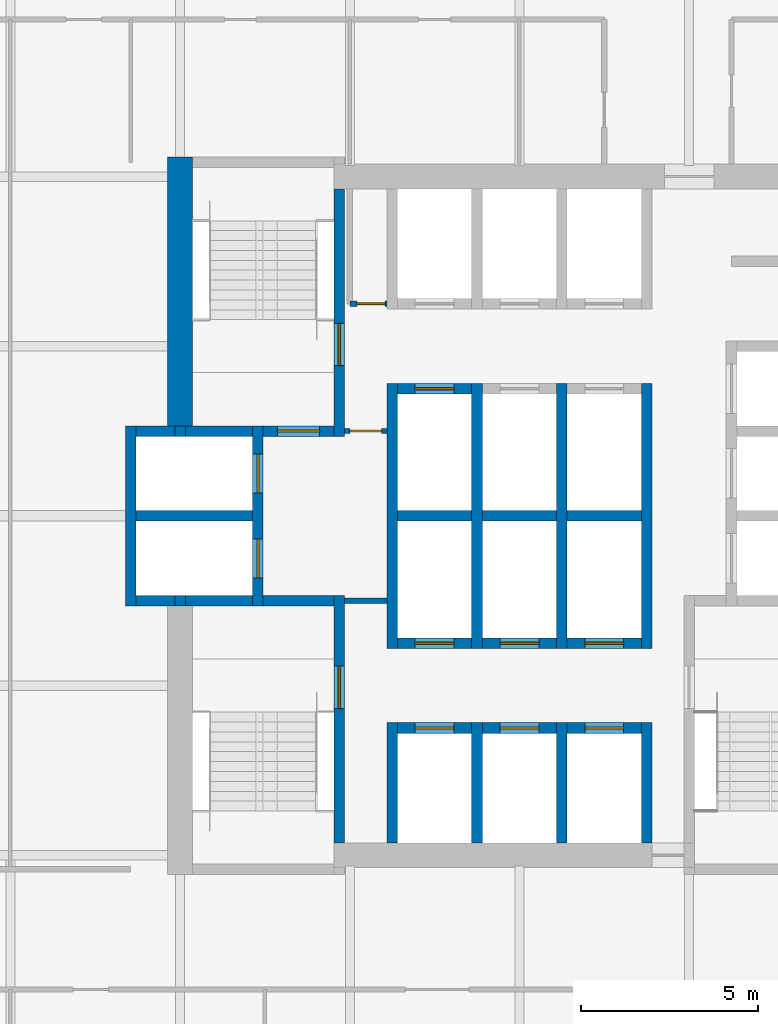
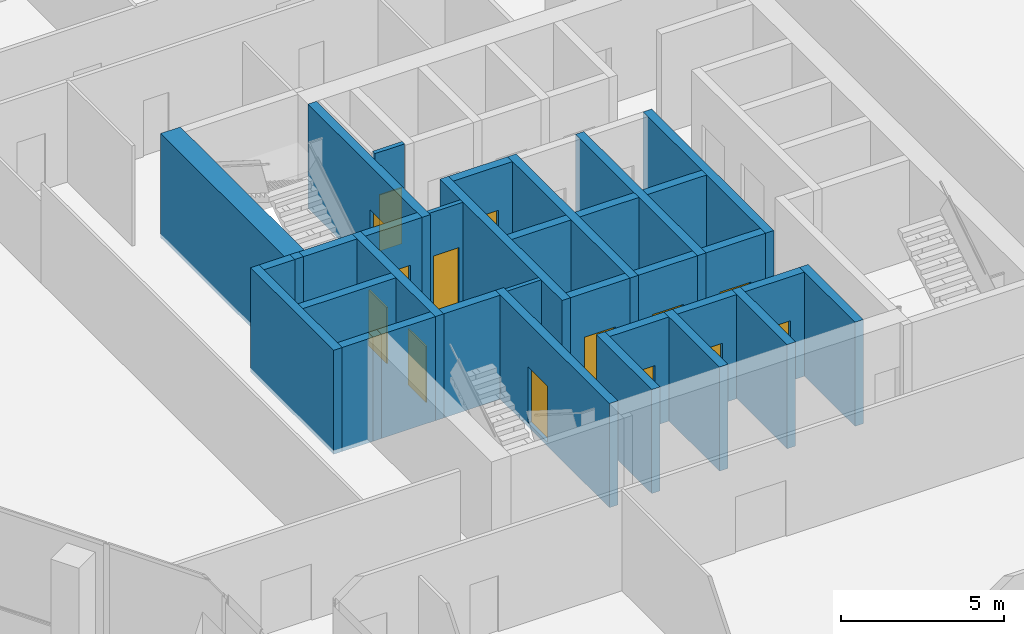
# One storey, part 9 of 15: 35 walls, 14 doors, 14 openings.
"""IFC4 building model written with IfcOpenShell, lengths in metres."""

from ifc_helpers import new_model, si_unit, direction, frame, frame_2d, origin, place, context, subcontext, project, spatial, rectangle, extrude, material, layer, layer_set, type_object, element, fill, save


model = new_model("IFC4")

# Units and contexts
model_context = context("Model", 3, precision=1e-05, world=origin(), true_north=direction((0.0, 1.0)))
body_context = subcontext(model_context, "Body", "Model", "MODEL_VIEW")
ifc_project = project(units=[si_unit("LENGTHUNIT", "METRE"), si_unit("AREAUNIT", "SQUARE_METRE"), si_unit("VOLUMEUNIT", "CUBIC_METRE"), si_unit("PLANEANGLEUNIT", "RADIAN"), si_unit("MASSUNIT", "GRAM", prefix="KILO")], contexts=[model_context])

# Site, building, storey
site_placement = place(None, origin())
site = spatial("IfcSite", under=ifc_project, at=site_placement, CompositionType="ELEMENT")
building_placement = place(site_placement, origin())
building = spatial("IfcBuilding", under=site, at=building_placement, Name="Kolab Exchange Tower", CompositionType="ELEMENT")
storey_placement = place(building_placement, frame((0.0, 0.0, 154.39990234375)))
storey = spatial("IfcBuildingStorey", under=building, at=storey_placement, Name="L31", CompositionType="ELEMENT", Elevation=154.39990234375)

# Wall
ifc_material_1 = material(Name="Concrete C60/75", Category="concrete")
ifc_layer_1 = layer(ifc_material_1, 0.699951171875)
ifc_layer_set_1 = layer_set([ifc_layer_1], Name="Concrete C60/75")
wall_type_1 = type_object("IfcWallType", Name="CORE WALL 700 C60/75", PredefinedType="SHEAR", material=ifc_layer_set_1)
wall_1_placement = place(storey_placement, frame((-9.60009765625, 2.550048828125, -0.14990234375), z_axis=(0.0, 0.0, 1.0), x_axis=(0.0, 1.0, 0.0)))
element("IfcWall", 1, at=wall_1_placement, inside=storey, type_object=wall_type_1, Name="wall/L31/core/037", PredefinedType="SHEAR", context=body_context, shape_type="SweptSolid", body=[
    extrude(rectangle(XDim=7.599853515625, YDim=0.699951171875, at=frame_2d((3.7998046875, 0.0))), origin(), (0.0, 0.0, 1.0), 3.89990234375),
])

# Wall, opening, door
ifc_material_2 = material(Name="Concrete C50/60", Category="concrete")
ifc_layer_2 = layer(ifc_material_2, 0.300048828125)
ifc_layer_set_2 = layer_set([ifc_layer_2], Name="Concrete C50/60")
wall_type_2 = type_object("IfcWallType", Name="LIFT SHAFT WALL 300 C50/60", PredefinedType="STANDARD", material=ifc_layer_set_2)
wall_2_placement = place(storey_placement, frame((-3.449951171875, -6.0, -0.14990234375), z_axis=(0.0, 0.0, 1.0), x_axis=(1.0, 0.0, 0.0)))
wall_2 = element("IfcWall", 2, at=wall_2_placement, inside=storey, type_object=wall_type_2, Name="wall/L31/core/003", PredefinedType="STANDARD", context=body_context, shape_type="SweptSolid", body=[
    extrude(rectangle(XDim=2.099853515625, YDim=0.300048828125, at=frame_2d((1.0498046875, 0.0))), origin(), (0.0, 0.0, 1.0), 3.89990234375),
])
opening_1_placement = place(wall_2_placement, frame((0.5, 0.0, 0.14990234375)))
opening_1 = element("IfcOpeningElement", 3, at=opening_1_placement, cuts=wall_2, Name="Opening LD1-110", PredefinedType="OPENING", context=body_context, shape_type="SweptSolid", body=[
    extrude(rectangle(XDim=1.10009765625, YDim=2.10009765625, at=frame_2d((0.550048828125, 1.050048828125))), frame((0.0, 0.16015625, 0.0), z_axis=(0.0, -1.0, 0.0), x_axis=(1.0, 0.0, 0.0)), (0.0, 0.0, 1.0), 0.320068359375),
])
ifc_material_3 = material(Name="Stainless steel 316", Category="steel")
door_type_1 = type_object("IfcDoorType", Name="LANDING DOOR 1100 PASSENGER", OperationType="DOUBLE_DOOR_SLIDING", PredefinedType="DOOR", material=ifc_material_3)
door_1_placement = place(opening_1_placement, origin())
door_1 = element("IfcDoor", 4, at=door_1_placement, inside=storey, type_object=door_type_1, Name="Landing door HR10", OperationType="DOUBLE_DOOR_SLIDING", OverallHeight=2.10009765625, OverallWidth=1.10009765625, PredefinedType="DOOR", context=body_context, shape_type="SweptSolid", body=[
    extrude(rectangle(XDim=1.10009765625, YDim=2.10009765625, at=frame_2d((0.550048828125, 1.050048828125))), frame((0.0, 0.02490234375, 0.0), z_axis=(0.0, -1.0, 0.0), x_axis=(1.0, 0.0, 0.0)), (0.0, 0.0, 1.0), 0.050048828125),
])
fill(opening_1, door_1)

wall_3_placement = place(storey_placement, frame((-1.050048828125, -6.0, -0.14990234375), z_axis=(0.0, 0.0, 1.0), x_axis=(1.0, 0.0, 0.0)))
wall_3 = element("IfcWall", 5, at=wall_3_placement, inside=storey, type_object=wall_type_2, Name="wall/L31/core/004", PredefinedType="STANDARD", context=body_context, shape_type="SweptSolid", body=[
    extrude(rectangle(XDim=2.10009765625, YDim=0.300048828125, at=frame_2d((1.050048828125, 0.0))), origin(), (0.0, 0.0, 1.0), 3.89990234375),
])
opening_2_placement = place(wall_3_placement, frame((0.5, 0.0, 0.14990234375)))
opening_2 = element("IfcOpeningElement", 6, at=opening_2_placement, cuts=wall_3, Name="Opening LD1-111", PredefinedType="OPENING", context=body_context, shape_type="SweptSolid", body=[
    extrude(rectangle(XDim=1.10009765625, YDim=2.10009765625, at=frame_2d((0.550048828125, 1.050048828125))), frame((0.0, 0.16015625, 0.0), z_axis=(0.0, -1.0, 0.0), x_axis=(1.0, 0.0, 0.0)), (0.0, 0.0, 1.0), 0.320068359375),
])
door_2_placement = place(opening_2_placement, origin())
door_2 = element("IfcDoor", 7, at=door_2_placement, inside=storey, type_object=door_type_1, Name="Landing door HR11", OperationType="DOUBLE_DOOR_SLIDING", OverallHeight=2.10009765625, OverallWidth=1.10009765625, PredefinedType="DOOR", context=body_context, shape_type="SweptSolid", body=[
    extrude(rectangle(XDim=1.10009765625, YDim=2.10009765625, at=frame_2d((0.550048828125, 1.050048828125))), frame((0.0, 0.02490234375, 0.0), z_axis=(0.0, -1.0, 0.0), x_axis=(1.0, 0.0, 0.0)), (0.0, 0.0, 1.0), 0.050048828125),
])
fill(opening_2, door_2)

wall_4_placement = place(storey_placement, frame((1.35009765625, -6.0, -0.14990234375), z_axis=(0.0, 0.0, 1.0), x_axis=(1.0, 0.0, 0.0)))
wall_4 = element("IfcWall", 8, at=wall_4_placement, inside=storey, type_object=wall_type_2, Name="wall/L31/core/005", PredefinedType="STANDARD", context=body_context, shape_type="SweptSolid", body=[
    extrude(rectangle(XDim=2.099853515625, YDim=0.300048828125, at=frame_2d((1.0498046875, 0.0))), origin(), (0.0, 0.0, 1.0), 3.89990234375),
])
opening_3_placement = place(wall_4_placement, frame((0.5, 0.0, 0.14990234375)))
opening_3 = element("IfcOpeningElement", 9, at=opening_3_placement, cuts=wall_4, Name="Opening LD1-112", PredefinedType="OPENING", context=body_context, shape_type="SweptSolid", body=[
    extrude(rectangle(XDim=1.10009765625, YDim=2.10009765625, at=frame_2d((0.550048828125, 1.050048828125))), frame((0.0, 0.16015625, 0.0), z_axis=(0.0, -1.0, 0.0), x_axis=(1.0, 0.0, 0.0)), (0.0, 0.0, 1.0), 0.320068359375),
])
door_3_placement = place(opening_3_placement, origin())
door_3 = element("IfcDoor", 10, at=door_3_placement, inside=storey, type_object=door_type_1, Name="Landing door HR12", OperationType="DOUBLE_DOOR_SLIDING", OverallHeight=2.10009765625, OverallWidth=1.10009765625, PredefinedType="DOOR", context=body_context, shape_type="SweptSolid", body=[
    extrude(rectangle(XDim=1.10009765625, YDim=2.10009765625, at=frame_2d((0.550048828125, 1.050048828125))), frame((0.0, 0.02490234375, 0.0), z_axis=(0.0, -1.0, 0.0), x_axis=(1.0, 0.0, 0.0)), (0.0, 0.0, 1.0), 0.050048828125),
])
fill(opening_3, door_3)

wall_5_placement = place(storey_placement, frame((-3.449951171875, -3.60009765625, -0.14990234375), z_axis=(0.0, 0.0, 1.0), x_axis=(1.0, 0.0, 0.0)))
wall_5 = element("IfcWall", 11, at=wall_5_placement, inside=storey, type_object=wall_type_2, Name="wall/L31/core/006", PredefinedType="STANDARD", context=body_context, shape_type="SweptSolid", body=[
    extrude(rectangle(XDim=2.099853515625, YDim=0.300048828125, at=frame_2d((1.0498046875, 0.0))), origin(), (0.0, 0.0, 1.0), 3.89990234375),
])
opening_4_placement = place(wall_5_placement, frame((0.5, 0.0, 0.14990234375)))
opening_4 = element("IfcOpeningElement", 12, at=opening_4_placement, cuts=wall_5, Name="Opening LD1-118", PredefinedType="OPENING", context=body_context, shape_type="SweptSolid", body=[
    extrude(rectangle(XDim=1.10009765625, YDim=2.10009765625, at=frame_2d((0.550048828125, 1.050048828125))), frame((0.0, 0.16015625, 0.0), z_axis=(0.0, -1.0, 0.0), x_axis=(1.0, 0.0, 0.0)), (0.0, 0.0, 1.0), 0.320068359375),
])
door_4_placement = place(opening_4_placement, origin())
door_4 = element("IfcDoor", 13, at=door_4_placement, inside=storey, type_object=door_type_1, Name="Landing door HR7", OperationType="DOUBLE_DOOR_SLIDING", OverallHeight=2.10009765625, OverallWidth=1.10009765625, PredefinedType="DOOR", context=body_context, shape_type="SweptSolid", body=[
    extrude(rectangle(XDim=1.10009765625, YDim=2.10009765625, at=frame_2d((0.550048828125, 1.050048828125))), frame((0.0, 0.02490234375, 0.0), z_axis=(0.0, -1.0, 0.0), x_axis=(1.0, 0.0, 0.0)), (0.0, 0.0, 1.0), 0.050048828125),
])
fill(opening_4, door_4)

wall_6_placement = place(storey_placement, frame((-1.050048828125, -3.60009765625, -0.14990234375), z_axis=(0.0, 0.0, 1.0), x_axis=(1.0, 0.0, 0.0)))
wall_6 = element("IfcWall", 14, at=wall_6_placement, inside=storey, type_object=wall_type_2, Name="wall/L31/core/007", PredefinedType="STANDARD", context=body_context, shape_type="SweptSolid", body=[
    extrude(rectangle(XDim=2.10009765625, YDim=0.300048828125, at=frame_2d((1.050048828125, 0.0))), origin(), (0.0, 0.0, 1.0), 3.89990234375),
])
opening_5_placement = place(wall_6_placement, frame((0.5, 0.0, 0.14990234375)))
opening_5 = element("IfcOpeningElement", 15, at=opening_5_placement, cuts=wall_6, Name="Opening LD1-119", PredefinedType="OPENING", context=body_context, shape_type="SweptSolid", body=[
    extrude(rectangle(XDim=1.10009765625, YDim=2.10009765625, at=frame_2d((0.550048828125, 1.050048828125))), frame((0.0, 0.16015625, 0.0), z_axis=(0.0, -1.0, 0.0), x_axis=(1.0, 0.0, 0.0)), (0.0, 0.0, 1.0), 0.320068359375),
])
door_5_placement = place(opening_5_placement, origin())
door_5 = element("IfcDoor", 16, at=door_5_placement, inside=storey, type_object=door_type_1, Name="Landing door HR8", OperationType="DOUBLE_DOOR_SLIDING", OverallHeight=2.10009765625, OverallWidth=1.10009765625, PredefinedType="DOOR", context=body_context, shape_type="SweptSolid", body=[
    extrude(rectangle(XDim=1.10009765625, YDim=2.10009765625, at=frame_2d((0.550048828125, 1.050048828125))), frame((0.0, 0.02490234375, 0.0), z_axis=(0.0, -1.0, 0.0), x_axis=(1.0, 0.0, 0.0)), (0.0, 0.0, 1.0), 0.050048828125),
])
fill(opening_5, door_5)

wall_7_placement = place(storey_placement, frame((1.35009765625, -3.60009765625, -0.14990234375), z_axis=(0.0, 0.0, 1.0), x_axis=(1.0, 0.0, 0.0)))
wall_7 = element("IfcWall", 17, at=wall_7_placement, inside=storey, type_object=wall_type_2, Name="wall/L31/core/008", PredefinedType="STANDARD", context=body_context, shape_type="SweptSolid", body=[
    extrude(rectangle(XDim=2.099853515625, YDim=0.300048828125, at=frame_2d((1.0498046875, 0.0))), origin(), (0.0, 0.0, 1.0), 3.89990234375),
])
opening_6_placement = place(wall_7_placement, frame((0.5, 0.0, 0.14990234375)))
opening_6 = element("IfcOpeningElement", 18, at=opening_6_placement, cuts=wall_7, Name="Opening LD1-120", PredefinedType="OPENING", context=body_context, shape_type="SweptSolid", body=[
    extrude(rectangle(XDim=1.10009765625, YDim=2.10009765625, at=frame_2d((0.550048828125, 1.050048828125))), frame((0.0, 0.16015625, 0.0), z_axis=(0.0, -1.0, 0.0), x_axis=(1.0, 0.0, 0.0)), (0.0, 0.0, 1.0), 0.320068359375),
])
door_6_placement = place(opening_6_placement, origin())
door_6 = element("IfcDoor", 19, at=door_6_placement, inside=storey, type_object=door_type_1, Name="Landing door HR9", OperationType="DOUBLE_DOOR_SLIDING", OverallHeight=2.10009765625, OverallWidth=1.10009765625, PredefinedType="DOOR", context=body_context, shape_type="SweptSolid", body=[
    extrude(rectangle(XDim=1.10009765625, YDim=2.10009765625, at=frame_2d((0.550048828125, 1.050048828125))), frame((0.0, 0.02490234375, 0.0), z_axis=(0.0, -1.0, 0.0), x_axis=(1.0, 0.0, 0.0)), (0.0, 0.0, 1.0), 0.050048828125),
])
fill(opening_6, door_6)

# Walls
wall_8_placement = place(storey_placement, frame((-10.85009765625, -2.39990234375, -0.14990234375), z_axis=(0.0, 0.0, 1.0), x_axis=(1.0, 0.0, 0.0)))
element("IfcWall", 20, at=wall_8_placement, inside=storey, type_object=wall_type_2, Name="wall/L31/core/009", PredefinedType="STANDARD", context=body_context, shape_type="SweptSolid", body=[
    extrude(rectangle(XDim=1.10009765625, YDim=0.300048828125, at=frame_2d((0.550048828125, 0.0))), origin(), (0.0, 0.0, 1.0), 3.89990234375),
])
wall_9_placement = place(storey_placement, frame((-10.85009765625, 0.0, -0.14990234375), z_axis=(0.0, 0.0, 1.0), x_axis=(1.0, 0.0, 0.0)))
element("IfcWall", 21, at=wall_9_placement, inside=storey, type_object=wall_type_2, Name="wall/L31/core/014", PredefinedType="STANDARD", context=body_context, shape_type="SweptSolid", body=[
    extrude(rectangle(XDim=3.300048828125, YDim=0.300048828125, at=frame_2d((1.64990234375, 0.0))), origin(), (0.0, 0.0, 1.0), 3.89990234375),
])
wall_10_placement = place(storey_placement, frame((-3.449951171875, 0.0, -0.14990234375), z_axis=(0.0, 0.0, 1.0), x_axis=(1.0, 0.0, 0.0)))
element("IfcWall", 22, at=wall_10_placement, inside=storey, type_object=wall_type_2, Name="wall/L31/core/015", PredefinedType="STANDARD", context=body_context, shape_type="SweptSolid", body=[
    extrude(rectangle(XDim=2.099853515625, YDim=0.300048828125, at=frame_2d((1.0498046875, 0.0))), origin(), (0.0, 0.0, 1.0), 3.89990234375),
])
wall_11_placement = place(storey_placement, frame((-1.050048828125, 0.0, -0.14990234375), z_axis=(0.0, 0.0, 1.0), x_axis=(1.0, 0.0, 0.0)))
element("IfcWall", 23, at=wall_11_placement, inside=storey, type_object=wall_type_2, Name="wall/L31/core/016", PredefinedType="STANDARD", context=body_context, shape_type="SweptSolid", body=[
    extrude(rectangle(XDim=2.10009765625, YDim=0.300048828125, at=frame_2d((1.050048828125, 0.0))), origin(), (0.0, 0.0, 1.0), 3.89990234375),
])
wall_12_placement = place(storey_placement, frame((1.35009765625, 0.0, -0.14990234375), z_axis=(0.0, 0.0, 1.0), x_axis=(1.0, 0.0, 0.0)))
element("IfcWall", 24, at=wall_12_placement, inside=storey, type_object=wall_type_2, Name="wall/L31/core/017", PredefinedType="STANDARD", context=body_context, shape_type="SweptSolid", body=[
    extrude(rectangle(XDim=2.099853515625, YDim=0.300048828125, at=frame_2d((1.0498046875, 0.0))), origin(), (0.0, 0.0, 1.0), 3.89990234375),
])
wall_13_placement = place(storey_placement, frame((-10.85009765625, 2.39990234375, -0.14990234375), z_axis=(0.0, 0.0, 1.0), x_axis=(1.0, 0.0, 0.0)))
element("IfcWall", 25, at=wall_13_placement, inside=storey, type_object=wall_type_2, Name="wall/L31/core/019", PredefinedType="STANDARD", context=body_context, shape_type="SweptSolid", body=[
    extrude(rectangle(XDim=1.10009765625, YDim=0.300048828125, at=frame_2d((0.550048828125, 0.0))), origin(), (0.0, 0.0, 1.0), 3.89990234375),
])

# Wall, opening, door
wall_14_placement = place(storey_placement, frame((-3.449951171875, 3.60009765625, -0.14990234375), z_axis=(0.0, 0.0, 1.0), x_axis=(1.0, 0.0, 0.0)))
wall_14 = element("IfcWall", 26, at=wall_14_placement, inside=storey, type_object=wall_type_2, Name="wall/L31/core/023", PredefinedType="STANDARD", context=body_context, shape_type="SweptSolid", body=[
    extrude(rectangle(XDim=2.099853515625, YDim=0.300048828125, at=frame_2d((1.0498046875, 0.0))), origin(), (0.0, 0.0, 1.0), 3.89990234375),
])
opening_7_placement = place(wall_14_placement, frame((0.5, 0.0, 0.14990234375)))
opening_7 = element("IfcOpeningElement", 27, at=opening_7_placement, cuts=wall_14, Name="Opening LD1-115", PredefinedType="OPENING", context=body_context, shape_type="SweptSolid", body=[
    extrude(rectangle(XDim=1.10009765625, YDim=2.10009765625, at=frame_2d((0.550048828125, 1.050048828125))), frame((0.0, 0.16015625, 0.0), z_axis=(0.0, -1.0, 0.0), x_axis=(1.0, 0.0, 0.0)), (0.0, 0.0, 1.0), 0.320068359375),
])
door_7_placement = place(opening_7_placement, origin())
door_7 = element("IfcDoor", 28, at=door_7_placement, inside=storey, type_object=door_type_1, Name="Landing door HR4", OperationType="DOUBLE_DOOR_SLIDING", OverallHeight=2.10009765625, OverallWidth=1.10009765625, PredefinedType="DOOR", context=body_context, shape_type="SweptSolid", body=[
    extrude(rectangle(XDim=1.10009765625, YDim=2.10009765625, at=frame_2d((0.550048828125, 1.050048828125))), frame((0.0, 0.02490234375, 0.0), z_axis=(0.0, -1.0, 0.0), x_axis=(1.0, 0.0, 0.0)), (0.0, 0.0, 1.0), 0.050048828125),
])
fill(opening_7, door_7)

# Wall
wall_15_placement = place(storey_placement, frame((-11.0, -2.550048828125, -0.14990234375), z_axis=(0.0, 0.0, 1.0), x_axis=(0.0, 1.0, 0.0)))
element("IfcWall", 29, at=wall_15_placement, inside=storey, type_object=wall_type_2, Name="wall/L31/core/033", PredefinedType="STANDARD", context=body_context, shape_type="SweptSolid", body=[
    extrude(rectangle(XDim=5.10009765625, YDim=0.300048828125, at=frame_2d((2.550048828125, 0.0))), origin(), (0.0, 0.0, 1.0), 3.89990234375),
])

# Wall, openings, doors
wall_16_placement = place(storey_placement, frame((-7.39990234375, -2.550048828125, -0.14990234375), z_axis=(0.0, 0.0, 1.0), x_axis=(0.0, 1.0, 0.0)))
wall_16 = element("IfcWall", 30, at=wall_16_placement, inside=storey, type_object=wall_type_2, Name="wall/L31/core/038", PredefinedType="STANDARD", context=body_context, shape_type="SweptSolid", body=[
    extrude(rectangle(XDim=5.10009765625, YDim=0.300048828125, at=frame_2d((2.550048828125, 0.0))), origin(), (0.0, 0.0, 1.0), 3.89990234375),
])
opening_8_placement = place(wall_16_placement, frame((0.800048828125, 0.0, 0.14990234375)))
opening_8 = element("IfcOpeningElement", 31, at=opening_8_placement, cuts=wall_16, Name="Opening LD2-025", PredefinedType="OPENING", context=body_context, shape_type="SweptSolid", body=[
    extrude(rectangle(XDim=1.10009765625, YDim=2.10009765625, at=frame_2d((0.550048828125, 1.050048828125))), frame((0.0, 0.16015625, 0.0), z_axis=(0.0, -1.0, 0.0), x_axis=(1.0, 0.0, 0.0)), (0.0, 0.0, 1.0), 0.320068359375),
])
opening_9_placement = place(wall_16_placement, frame((3.199951171875, 0.0, 0.14990234375)))
opening_9 = element("IfcOpeningElement", 32, at=opening_9_placement, cuts=wall_16, Name="Opening LD2-026", PredefinedType="OPENING", context=body_context, shape_type="SweptSolid", body=[
    extrude(rectangle(XDim=1.10009765625, YDim=2.10009765625, at=frame_2d((0.550048828125, 1.050048828125))), frame((0.0, 0.16015625, 0.0), z_axis=(0.0, -1.0, 0.0), x_axis=(1.0, 0.0, 0.0)), (0.0, 0.0, 1.0), 0.320068359375),
])
door_type_2 = type_object("IfcDoorType", Name="LANDING DOOR 1100 FIREFIGHTING", OperationType="DOUBLE_DOOR_SLIDING", PredefinedType="DOOR", material=ifc_material_3)
door_8_placement = place(opening_8_placement, origin())
door_8 = element("IfcDoor", 33, at=door_8_placement, inside=storey, type_object=door_type_2, Name="Landing door FF1", OperationType="DOUBLE_DOOR_SLIDING", OverallHeight=2.10009765625, OverallWidth=1.10009765625, PredefinedType="DOOR", context=body_context, shape_type="SweptSolid", body=[
    extrude(rectangle(XDim=1.10009765625, YDim=2.10009765625, at=frame_2d((0.550048828125, 1.050048828125))), frame((0.0, 0.02490234375, 0.0), z_axis=(0.0, -1.0, 0.0), x_axis=(1.0, 0.0, 0.0)), (0.0, 0.0, 1.0), 0.050048828125),
])
fill(opening_8, door_8)
door_9_placement = place(opening_9_placement, origin())
door_9 = element("IfcDoor", 34, at=door_9_placement, inside=storey, type_object=door_type_2, Name="Landing door FF2", OperationType="DOUBLE_DOOR_SLIDING", OverallHeight=2.10009765625, OverallWidth=1.10009765625, PredefinedType="DOOR", context=body_context, shape_type="SweptSolid", body=[
    extrude(rectangle(XDim=1.10009765625, YDim=2.10009765625, at=frame_2d((0.550048828125, 1.050048828125))), frame((0.0, 0.02490234375, 0.0), z_axis=(0.0, -1.0, 0.0), x_axis=(1.0, 0.0, 0.0)), (0.0, 0.0, 1.0), 0.050048828125),
])
fill(opening_9, door_9)

# Walls
wall_17_placement = place(storey_placement, frame((-3.60009765625, -9.25, -0.14990234375), z_axis=(0.0, 0.0, 1.0), x_axis=(0.0, 1.0, 0.0)))
element("IfcWall", 35, at=wall_17_placement, inside=storey, type_object=wall_type_2, Name="wall/L31/core/043", PredefinedType="STANDARD", context=body_context, shape_type="SweptSolid", body=[
    extrude(rectangle(XDim=3.39990234375, YDim=0.300048828125, at=frame_2d((1.699951171875, 0.0))), origin(), (0.0, 0.0, 1.0), 3.89990234375),
])
wall_18_placement = place(storey_placement, frame((-3.60009765625, -3.75, -0.14990234375), z_axis=(0.0, 0.0, 1.0), x_axis=(0.0, 1.0, 0.0)))
element("IfcWall", 36, at=wall_18_placement, inside=storey, type_object=wall_type_2, Name="wall/L31/core/044", PredefinedType="STANDARD", context=body_context, shape_type="SweptSolid", body=[
    extrude(rectangle(XDim=7.5, YDim=0.300048828125, at=frame_2d((3.75, 0.0))), origin(), (0.0, 0.0, 1.0), 3.89990234375),
])
wall_19_placement = place(storey_placement, frame((-1.199951171875, -9.25, -0.14990234375), z_axis=(0.0, 0.0, 1.0), x_axis=(0.0, 1.0, 0.0)))
element("IfcWall", 37, at=wall_19_placement, inside=storey, type_object=wall_type_2, Name="wall/L31/core/046", PredefinedType="STANDARD", context=body_context, shape_type="SweptSolid", body=[
    extrude(rectangle(XDim=3.39990234375, YDim=0.300048828125, at=frame_2d((1.699951171875, 0.0))), origin(), (0.0, 0.0, 1.0), 3.89990234375),
])
wall_20_placement = place(storey_placement, frame((-1.199951171875, -3.75, -0.14990234375), z_axis=(0.0, 0.0, 1.0), x_axis=(0.0, 1.0, 0.0)))
element("IfcWall", 38, at=wall_20_placement, inside=storey, type_object=wall_type_2, Name="wall/L31/core/047", PredefinedType="STANDARD", context=body_context, shape_type="SweptSolid", body=[
    extrude(rectangle(XDim=7.5, YDim=0.300048828125, at=frame_2d((3.75, 0.0))), origin(), (0.0, 0.0, 1.0), 3.89990234375),
])
wall_21_placement = place(storey_placement, frame((1.199951171875, -9.25, -0.14990234375), z_axis=(0.0, 0.0, 1.0), x_axis=(0.0, 1.0, 0.0)))
element("IfcWall", 39, at=wall_21_placement, inside=storey, type_object=wall_type_2, Name="wall/L31/core/049", PredefinedType="STANDARD", context=body_context, shape_type="SweptSolid", body=[
    extrude(rectangle(XDim=3.39990234375, YDim=0.300048828125, at=frame_2d((1.699951171875, 0.0))), origin(), (0.0, 0.0, 1.0), 3.89990234375),
])
wall_22_placement = place(storey_placement, frame((1.199951171875, -3.75, -0.14990234375), z_axis=(0.0, 0.0, 1.0), x_axis=(0.0, 1.0, 0.0)))
element("IfcWall", 40, at=wall_22_placement, inside=storey, type_object=wall_type_2, Name="wall/L31/core/050", PredefinedType="STANDARD", context=body_context, shape_type="SweptSolid", body=[
    extrude(rectangle(XDim=7.5, YDim=0.300048828125, at=frame_2d((3.75, 0.0))), origin(), (0.0, 0.0, 1.0), 3.89990234375),
])
wall_23_placement = place(storey_placement, frame((3.60009765625, -9.25, -0.14990234375), z_axis=(0.0, 0.0, 1.0), x_axis=(0.0, 1.0, 0.0)))
element("IfcWall", 41, at=wall_23_placement, inside=storey, type_object=wall_type_2, Name="wall/L31/core/052", PredefinedType="STANDARD", context=body_context, shape_type="SweptSolid", body=[
    extrude(rectangle(XDim=3.39990234375, YDim=0.300048828125, at=frame_2d((1.699951171875, 0.0))), origin(), (0.0, 0.0, 1.0), 3.89990234375),
])
wall_24_placement = place(storey_placement, frame((3.60009765625, -3.75, -0.14990234375), z_axis=(0.0, 0.0, 1.0), x_axis=(0.0, 1.0, 0.0)))
element("IfcWall", 42, at=wall_24_placement, inside=storey, type_object=wall_type_2, Name="wall/L31/core/053", PredefinedType="STANDARD", context=body_context, shape_type="SweptSolid", body=[
    extrude(rectangle(XDim=7.5, YDim=0.300048828125, at=frame_2d((3.75, 0.0))), origin(), (0.0, 0.0, 1.0), 3.89990234375),
])

# Wall, opening, door
ifc_material_4 = material(Name="Gypsum board", Category="gypsum")
ifc_layer_3 = layer(ifc_material_4, 0.14990234375)
ifc_layer_set_3 = layer_set([ifc_layer_3], Name="Gypsum board")
wall_type_3 = type_object("IfcWallType", Name="PARTITION 150 FIRE-RATED", PredefinedType="PARTITIONING", material=ifc_layer_set_3)
wall_25_placement = place(storey_placement, frame((-4.800048828125, 6.0, 0.0), z_axis=(0.0, 0.0, 1.0), x_axis=(1.0, 0.0, 0.0)))
wall_25 = element("IfcWall", 43, at=wall_25_placement, inside=storey, type_object=wall_type_3, Name="Partition 026", PredefinedType="PARTITIONING", context=body_context, shape_type="SweptSolid", body=[
    extrude(rectangle(XDim=1.050048828125, YDim=0.14990234375, at=frame_2d((0.52490234375, 0.0))), origin(), (0.0, 0.0, 1.0), 3.75),
])
opening_10_placement = place(wall_25_placement, frame((0.199951171875, 0.0, 0.0)))
opening_10 = element("IfcOpeningElement", 44, at=opening_10_placement, cuts=wall_25, Name="Opening D7-032", PredefinedType="OPENING", context=body_context, shape_type="SweptSolid", body=[
    extrude(rectangle(XDim=0.800048828125, YDim=2.10009765625, at=frame_2d((0.39990234375, 1.050048828125))), frame((0.0, 0.0849609375, 0.0), z_axis=(0.0, -1.0, 0.0), x_axis=(1.0, 0.0, 0.0)), (0.0, 0.0, 1.0), 0.169921875),
])
ifc_material_5 = material(Name="Steel S235", Category="steel")
door_type_3 = type_object("IfcDoorType", Name="FLUSH DOOR 800 FD60", OperationType="SINGLE_SWING_LEFT", PredefinedType="DOOR", material=ifc_material_5)
door_10_placement = place(opening_10_placement, origin())
door_10 = element("IfcDoor", 45, at=door_10_placement, inside=storey, type_object=door_type_3, Name="Door L31-023", OperationType="SINGLE_SWING_RIGHT", OverallHeight=2.10009765625, OverallWidth=0.800048828125, PredefinedType="DOOR", context=body_context, shape_type="SweptSolid", body=[
    extrude(rectangle(XDim=0.800048828125, YDim=2.10009765625, at=frame_2d((0.39990234375, 1.050048828125))), frame((0.0, 0.02490234375, 0.0), z_axis=(0.0, -1.0, 0.0), x_axis=(1.0, 0.0, 0.0)), (0.0, 0.0, 1.0), 0.050048828125),
])
fill(opening_10, door_10)

wall_26_placement = place(storey_placement, frame((-4.949951171875, 2.39990234375, 0.0), z_axis=(0.0, 0.0, 1.0), x_axis=(1.0, 0.0, 0.0)))
wall_26 = element("IfcWall", 46, at=wall_26_placement, inside=storey, type_object=wall_type_3, Name="Fire partition", PredefinedType="PARTITIONING", context=body_context, shape_type="SweptSolid", body=[
    extrude(rectangle(XDim=1.199951171875, YDim=0.14990234375, at=frame_2d((0.60009765625, 0.0))), origin(), (0.0, 0.0, 1.0), 3.75),
])
opening_11_placement = place(wall_26_placement, frame((0.14990234375, 0.0, 0.0)))
opening_11 = element("IfcOpeningElement", 47, at=opening_11_placement, cuts=wall_26, Name="Opening D6-288", PredefinedType="OPENING", context=body_context, shape_type="SweptSolid", body=[
    extrude(rectangle(XDim=0.89990234375, YDim=2.10009765625, at=frame_2d((0.449951171875, 1.050048828125))), frame((0.0, 0.0849609375, 0.0), z_axis=(0.0, -1.0, 0.0), x_axis=(1.0, 0.0, 0.0)), (0.0, 0.0, 1.0), 0.169921875),
])
door_type_4 = type_object("IfcDoorType", Name="CORE DOOR 900 EI 120", OperationType="SINGLE_SWING_LEFT", PredefinedType="DOOR", material=ifc_material_5)
door_11_placement = place(opening_11_placement, frame((0.89990234375, 0.0, 0.0), z_axis=(0.0, 0.0, 1.0), x_axis=(-1.0, 0.0, 0.0)))
door_11 = element("IfcDoor", 48, at=door_11_placement, inside=storey, type_object=door_type_4, Name="Firefighting lobby door", OperationType="SINGLE_SWING_RIGHT", OverallHeight=2.10009765625, OverallWidth=0.89990234375, PredefinedType="DOOR", context=body_context, shape_type="SweptSolid", body=[
    extrude(rectangle(XDim=0.89990234375, YDim=2.10009765625, at=frame_2d((0.449951171875, 1.050048828125))), frame((0.0, 0.02490234375, 0.0), z_axis=(0.0, -1.0, 0.0), x_axis=(1.0, 0.0, 0.0)), (0.0, 0.0, 1.0), 0.050048828125),
])
fill(opening_11, door_11)

# Walls
wall_27_placement = place(storey_placement, frame((-4.949951171875, -2.39990234375, 0.0), z_axis=(0.0, 0.0, 1.0), x_axis=(1.0, 0.0, 0.0)))
element("IfcWall", 49, at=wall_27_placement, inside=storey, type_object=wall_type_3, Name="Fire partition", PredefinedType="PARTITIONING", context=body_context, shape_type="SweptSolid", body=[
    extrude(rectangle(XDim=1.199951171875, YDim=0.14990234375, at=frame_2d((0.60009765625, 0.0))), origin(), (0.0, 0.0, 1.0), 3.75),
])
ifc_layer_4 = layer(ifc_material_2, 0.300048828125)
ifc_layer_set_4 = layer_set([ifc_layer_4], Name="Concrete C50/60")
wall_type_4 = type_object("IfcWallType", Name="STAIR ENCLOSURE WALL 300 C50/60", PredefinedType="STANDARD", material=ifc_layer_set_4)
wall_28_placement = place(storey_placement, frame((-9.449951171875, -2.39990234375, -0.14990234375), z_axis=(0.0, 0.0, 1.0), x_axis=(1.0, 0.0, 0.0)))
element("IfcWall", 50, at=wall_28_placement, inside=storey, type_object=wall_type_4, Name="wall/L31/core/010", PredefinedType="STANDARD", context=body_context, shape_type="SweptSolid", body=[
    extrude(rectangle(XDim=1.89990234375, YDim=0.300048828125, at=frame_2d((0.949951171875, 0.0))), origin(), (0.0, 0.0, 1.0), 3.89990234375),
])
wall_29_placement = place(storey_placement, frame((-7.25, -2.39990234375, -0.14990234375), z_axis=(0.0, 0.0, 1.0), x_axis=(1.0, 0.0, 0.0)))
element("IfcWall", 51, at=wall_29_placement, inside=storey, type_object=wall_type_4, Name="wall/L31/core/011", PredefinedType="STANDARD", context=body_context, shape_type="SweptSolid", body=[
    extrude(rectangle(XDim=2.0, YDim=0.300048828125, at=frame_2d((1.0, 0.0))), origin(), (0.0, 0.0, 1.0), 3.89990234375),
])
wall_30_placement = place(storey_placement, frame((-9.449951171875, 2.39990234375, -0.14990234375), z_axis=(0.0, 0.0, 1.0), x_axis=(1.0, 0.0, 0.0)))
element("IfcWall", 52, at=wall_30_placement, inside=storey, type_object=wall_type_4, Name="wall/L31/core/020", PredefinedType="STANDARD", context=body_context, shape_type="SweptSolid", body=[
    extrude(rectangle(XDim=1.89990234375, YDim=0.300048828125, at=frame_2d((0.949951171875, 0.0))), origin(), (0.0, 0.0, 1.0), 3.89990234375),
])

# Wall, opening, door
wall_31_placement = place(storey_placement, frame((-7.25, 2.39990234375, -0.14990234375), z_axis=(0.0, 0.0, 1.0), x_axis=(1.0, 0.0, 0.0)))
wall_31 = element("IfcWall", 53, at=wall_31_placement, inside=storey, type_object=wall_type_4, Name="wall/L31/core/021", PredefinedType="STANDARD", context=body_context, shape_type="SweptSolid", body=[
    extrude(rectangle(XDim=2.0, YDim=0.300048828125, at=frame_2d((1.0, 0.0))), origin(), (0.0, 0.0, 1.0), 3.89990234375),
])
opening_12_placement = place(wall_31_placement, frame((0.39990234375, 0.0, 0.14990234375)))
opening_12 = element("IfcOpeningElement", 54, at=opening_12_placement, cuts=wall_31, Name="Opening D4-065", PredefinedType="OPENING", context=body_context, shape_type="SweptSolid", body=[
    extrude(rectangle(XDim=1.199951171875, YDim=2.10009765625, at=frame_2d((0.60009765625, 1.050048828125))), frame((0.0, 0.16015625, 0.0), z_axis=(0.0, -1.0, 0.0), x_axis=(1.0, 0.0, 0.0)), (0.0, 0.0, 1.0), 0.320068359375),
])
door_type_5 = type_object("IfcDoorType", Name="STAIR DOOR 1200 EI 120", OperationType="SINGLE_SWING_LEFT", PredefinedType="DOOR", material=ifc_material_5)
door_12_placement = place(opening_12_placement, origin())
door_12 = element("IfcDoor", 55, at=door_12_placement, inside=storey, type_object=door_type_5, Name="Stair 1 door", OperationType="SINGLE_SWING_RIGHT", OverallHeight=2.10009765625, OverallWidth=1.199951171875, PredefinedType="DOOR", context=body_context, shape_type="SweptSolid", body=[
    extrude(rectangle(XDim=1.199951171875, YDim=2.10009765625, at=frame_2d((0.60009765625, 1.050048828125))), frame((0.0, 0.02490234375, 0.0), z_axis=(0.0, -1.0, 0.0), x_axis=(1.0, 0.0, 0.0)), (0.0, 0.0, 1.0), 0.050048828125),
])
fill(opening_12, door_12)

# Walls
for number, where, z_axis, x_axis, name in (
    (56, (-9.60009765625, -2.550048828125, -0.14990234375), (0.0, 0.0, 1.0), (0.0, 1.0, 0.0), "wall/L31/core/035"),
    (57, (-9.60009765625, 2.25, -0.14990234375), (0.0, 0.0, 1.0), (0.0, 1.0, 0.0), "wall/L31/core/036"),
):
    element("IfcWall", number, at=place(storey_placement, frame(where, z_axis=z_axis, x_axis=x_axis)), inside=storey, type_object=wall_type_4, Name=name, PredefinedType="STANDARD", context=body_context, shape_type="SweptSolid", body=[
        extrude(rectangle(XDim=0.300048828125, YDim=0.300048828125, at=frame_2d((0.14990234375, 0.0))), origin(), (0.0, 0.0, 1.0), 3.89990234375),
    ])

# Wall, opening, door
wall_32_placement = place(storey_placement, frame((-5.10009765625, -9.25, -0.14990234375), z_axis=(0.0, 0.0, 1.0), x_axis=(0.0, 1.0, 0.0)))
wall_32 = element("IfcWall", 58, at=wall_32_placement, inside=storey, type_object=wall_type_4, Name="wall/L31/core/040", PredefinedType="STANDARD", context=body_context, shape_type="SweptSolid", body=[
    extrude(rectangle(XDim=7.0, YDim=0.300048828125, at=frame_2d((3.5, 0.0))), origin(), (0.0, 0.0, 1.0), 3.89990234375),
])
opening_13_placement = place(wall_32_placement, frame((3.800048828125, 0.0, 0.14990234375)))
opening_13 = element("IfcOpeningElement", 59, at=opening_13_placement, cuts=wall_32, Name="Opening D4-068", PredefinedType="OPENING", context=body_context, shape_type="SweptSolid", body=[
    extrude(rectangle(XDim=1.199951171875, YDim=2.10009765625, at=frame_2d((0.60009765625, 1.050048828125))), frame((0.0, 0.16015625, 0.0), z_axis=(0.0, -1.0, 0.0), x_axis=(1.0, 0.0, 0.0)), (0.0, 0.0, 1.0), 0.320068359375),
])
door_13_placement = place(opening_13_placement, origin())
door_13 = element("IfcDoor", 60, at=door_13_placement, inside=storey, type_object=door_type_5, Name="Stair 3 door", OperationType="SINGLE_SWING_RIGHT", OverallHeight=2.10009765625, OverallWidth=1.199951171875, PredefinedType="DOOR", context=body_context, shape_type="SweptSolid", body=[
    extrude(rectangle(XDim=1.199951171875, YDim=2.10009765625, at=frame_2d((0.60009765625, 1.050048828125))), frame((0.0, 0.02490234375, 0.0), z_axis=(0.0, -1.0, 0.0), x_axis=(1.0, 0.0, 0.0)), (0.0, 0.0, 1.0), 0.050048828125),
])
fill(opening_13, door_13)

wall_33_placement = place(storey_placement, frame((-5.10009765625, 2.25, -0.14990234375), z_axis=(0.0, 0.0, 1.0), x_axis=(0.0, 1.0, 0.0)))
wall_33 = element("IfcWall", 61, at=wall_33_placement, inside=storey, type_object=wall_type_4, Name="wall/L31/core/041", PredefinedType="STANDARD", context=body_context, shape_type="SweptSolid", body=[
    extrude(rectangle(XDim=7.0, YDim=0.300048828125, at=frame_2d((3.5, 0.0))), origin(), (0.0, 0.0, 1.0), 3.89990234375),
])
opening_14_placement = place(wall_33_placement, frame((2.0, 0.0, 0.14990234375)))
opening_14 = element("IfcOpeningElement", 62, at=opening_14_placement, cuts=wall_33, Name="Opening D4-066", PredefinedType="OPENING", context=body_context, shape_type="SweptSolid", body=[
    extrude(rectangle(XDim=1.199951171875, YDim=2.10009765625, at=frame_2d((0.60009765625, 1.050048828125))), frame((0.0, 0.16015625, 0.0), z_axis=(0.0, -1.0, 0.0), x_axis=(1.0, 0.0, 0.0)), (0.0, 0.0, 1.0), 0.320068359375),
])
door_14_placement = place(opening_14_placement, origin())
door_14 = element("IfcDoor", 63, at=door_14_placement, inside=storey, type_object=door_type_5, Name="Stair 1 door", OperationType="SINGLE_SWING_LEFT", OverallHeight=2.10009765625, OverallWidth=1.199951171875, PredefinedType="DOOR", context=body_context, shape_type="SweptSolid", body=[
    extrude(rectangle(XDim=1.199951171875, YDim=2.10009765625, at=frame_2d((0.60009765625, 1.050048828125))), frame((0.0, 0.02490234375, 0.0), z_axis=(0.0, -1.0, 0.0), x_axis=(1.0, 0.0, 0.0)), (0.0, 0.0, 1.0), 0.050048828125),
])
fill(opening_14, door_14)

save(model, "model.ifc")
